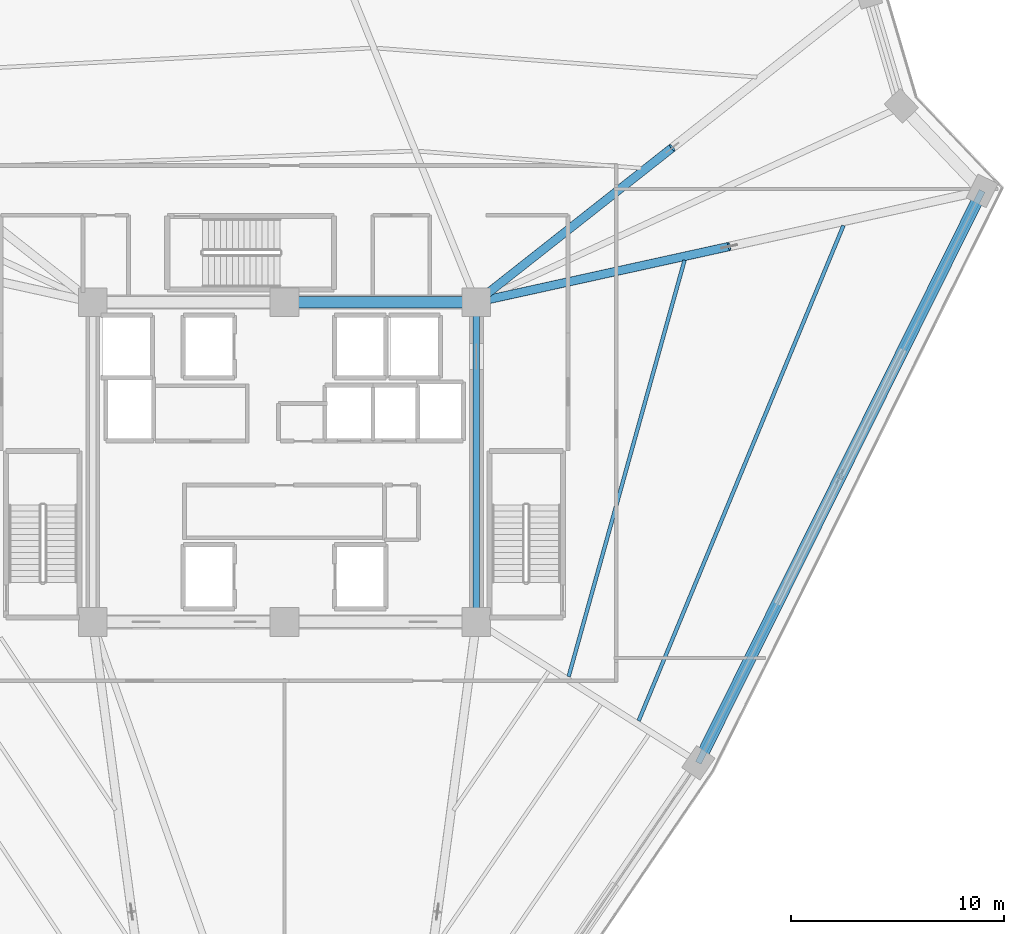
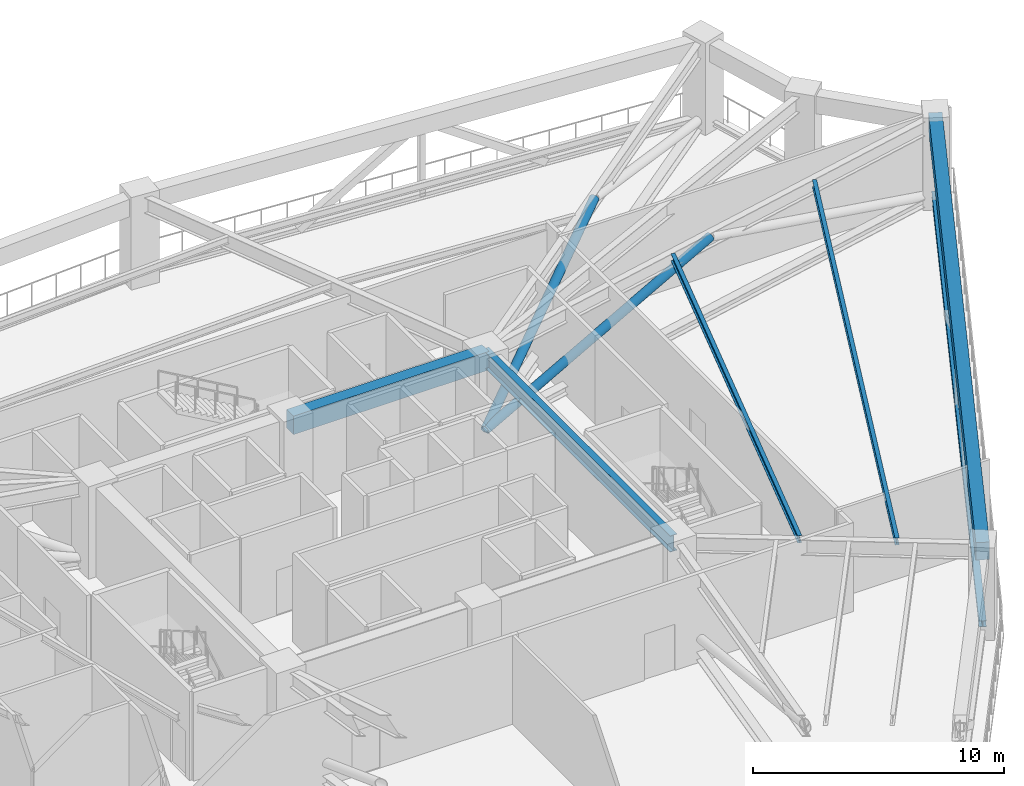
# One storey, part 8 of 25: 5 beams, 3 members.
"""IFC4 building model written with IfcOpenShell, lengths in metres."""

from ifc_helpers import new_model, si_unit, direction, frame, origin, origin_2d, place, context, subcontext, project, spatial, rectangle, hollow_circle, i_section, extrude, source, transform, mapped, material, material_profile, profile_set, type_object, element, save


model = new_model("IFC4")

# Units and contexts
model_context = context("Model", 3, precision=1e-05, world=origin(), true_north=direction((0.0, 1.0)))
body_context = subcontext(model_context, "Body", "Model", "MODEL_VIEW")
ifc_project = project(units=[si_unit("LENGTHUNIT", "METRE"), si_unit("AREAUNIT", "SQUARE_METRE"), si_unit("VOLUMEUNIT", "CUBIC_METRE"), si_unit("PLANEANGLEUNIT", "RADIAN"), si_unit("MASSUNIT", "GRAM", prefix="KILO")], contexts=[model_context])

# Site, building, storey
site_placement = place(None, origin())
site = spatial("IfcSite", under=ifc_project, at=site_placement, CompositionType="ELEMENT")
building_placement = place(site_placement, origin())
building = spatial("IfcBuilding", under=site, at=building_placement, Name="Liaohun Quay Tower", CompositionType="ELEMENT")
storey_placement = place(building_placement, frame((0.0, 0.0, 231.75)))
storey = spatial("IfcBuildingStorey", under=building, at=storey_placement, Name="L60", CompositionType="ELEMENT", Elevation=231.75)

# Beams
ifc_material_1 = material(Name="Steel Q355D", Category="steel")
ifc_material_profile_1 = material_profile(ifc_material_1, i_section(OverallWidth=0.300048828125, OverallDepth=0.800048828125, WebThickness=0.013916015625, FlangeThickness=0.02587890625, at=origin_2d()), Name="HN800x300x14x26")
ifc_profile_set_1 = profile_set([ifc_material_profile_1], Name="Steel Q355D")
beam_type_1 = type_object("IfcBeamType", Name="BM-RAD-M1", PredefinedType="BEAM", material=ifc_profile_set_1)
shared_shape_1 = source(origin(), body_context, "Body", "SweptSolid", [
    extrude(i_section(OverallWidth=0.300048828125, OverallDepth=0.800048828125, WebThickness=0.013916015625, FlangeThickness=0.02587890625, at=origin_2d()), origin(), (0.0, 0.0, 1.0), 15.0),
])
beam_1_placement = place(storey_placement, frame((69.0, 46.5, 3.919921875), z_axis=(0.0, 1.0, 0.0), x_axis=(-1.0, 0.0, 0.0)))
element("IfcBeam", 1, at=beam_1_placement, inside=storey, type_object=beam_type_1, Name="L60 Core Coupling/Ring Beam CC3-CC4", PredefinedType="BEAM", context=body_context, shape_type="MappedRepresentation", body=[
    mapped(shared_shape_1, transform((0.0, 0.0, 0.0), x_axis=(1.0, 0.0, 0.0), y_axis=(0.0, 1.0, 0.0), z_axis=(0.0, 0.0, 1.0), scale=1.0)),
])
ifc_material_2 = material(Name="Concrete C55", Category="concrete")
ifc_material_profile_2 = material_profile(ifc_material_2, rectangle(XDim=0.550048828125, YDim=0.89990234375, at=origin_2d()), Name="RC550x900")
ifc_profile_set_2 = profile_set([ifc_material_profile_2], Name="Concrete C55")
beam_type_2 = type_object("IfcBeamType", Name="BM-CPL-2", PredefinedType="LINTEL", material=ifc_profile_set_2)
shared_shape_2 = source(origin(), body_context, "Body", "SweptSolid", [
    extrude(rectangle(XDim=0.550048828125, YDim=0.89990234375, at=origin_2d()), origin(), (0.0, 0.0, 1.0), 9.0),
])
beam_2_placement = place(storey_placement, frame((69.0, 61.5, 3.8701171875), z_axis=(-1.0, 0.0, 0.0), x_axis=(0.0, -1.0, 0.0)))
element("IfcBeam", 2, at=beam_2_placement, inside=storey, type_object=beam_type_2, Name="L60 Core Coupling/Ring Beam CC4-CC5", PredefinedType="LINTEL", context=body_context, shape_type="MappedRepresentation", body=[
    mapped(shared_shape_2, transform((0.0, 0.0, 0.0), x_axis=(1.0, 0.0, 0.0), y_axis=(0.0, 1.0, 0.0), z_axis=(0.0, 0.0, 1.0), scale=1.0)),
])
ifc_material_3 = material(Name="Precast concrete C50", Category="concrete")
ifc_material_profile_3 = material_profile(ifc_material_3, rectangle(XDim=0.550048828125, YDim=0.85009765625, at=origin_2d()), Name="RC550x850")
ifc_profile_set_3 = profile_set([ifc_material_profile_3], Name="Precast concrete C50")
beam_type_3 = type_object("IfcBeamType", Name="BM-SPD-Z3", PredefinedType="SPANDREL", material=ifc_profile_set_3)
shared_shape_3 = source(origin(), body_context, "Body", "SweptSolid", [
    extrude(rectangle(XDim=0.550048828125, YDim=0.85009765625, at=origin_2d()), origin(), (0.0, 0.0, 1.0), 29.958984375),
])
beam_3_placement = place(storey_placement, frame((92.72900390625, 66.722900390625, 3.89501953125), z_axis=(-0.444473370544, -0.895792064531, 0.0), x_axis=(0.895792064531, -0.444473370544, 0.0)))
element("IfcBeam", 3, at=beam_3_placement, inside=storey, type_object=beam_type_3, Name="L60 Precast Spandrel Beam PC09-PC10", PredefinedType="SPANDREL", context=body_context, shape_type="MappedRepresentation", body=[
    mapped(shared_shape_3, transform((0.0, 0.0, 0.0), x_axis=(1.0, 0.0, 0.0), y_axis=(0.0, 1.0, 0.0), z_axis=(0.0, 0.0, 1.0), scale=1.0)),
])
ifc_material_profile_4 = material_profile(ifc_material_1, i_section(OverallWidth=0.175048828125, OverallDepth=0.35009765625, WebThickness=0.007080078125, FlangeThickness=0.010986328125, at=origin_2d()), Name="HN350x175x7x11")
ifc_profile_set_4 = profile_set([ifc_material_profile_4], Name="Steel Q355D")
beam_type_4 = type_object("IfcBeamType", Name="BM-SEC-J3", PredefinedType="JOIST", material=ifc_profile_set_4)
shared_shape_4 = source(origin(), body_context, "Body", "SweptSolid", [
    extrude(i_section(OverallWidth=0.175048828125, OverallDepth=0.35009765625, WebThickness=0.007080078125, FlangeThickness=0.010986328125, at=origin_2d()), origin(), (0.0, 0.0, 1.0), 20.27978515625),
])
beam_4_placement = place(storey_placement, frame((78.76904296875, 63.471923828125, 4.14501953125), z_axis=(-0.268195801484, -0.963364423293, 0.0), x_axis=(0.963364423293, -0.268195801484, 0.0)))
element("IfcBeam", 4, at=beam_4_placement, inside=storey, type_object=beam_type_4, Name="L60 Wing Secondary Floor Joist SJ-10", PredefinedType="JOIST", context=body_context, shape_type="MappedRepresentation", body=[
    mapped(shared_shape_4, transform((0.0, 0.0, 0.0), x_axis=(1.0, 0.0, 0.0), y_axis=(0.0, 1.0, 0.0), z_axis=(0.0, 0.0, 1.0), scale=1.0)),
])
shared_shape_5 = source(origin(), body_context, "Body", "SweptSolid", [
    extrude(i_section(OverallWidth=0.175048828125, OverallDepth=0.35009765625, WebThickness=0.007080078125, FlangeThickness=0.010986328125, at=origin_2d()), origin(), (0.0, 0.0, 1.0), 25.14599609375),
])
beam_5_placement = place(storey_placement, frame((86.221923828125, 65.093994140625, 4.14501953125), z_axis=(-0.382085939007, -0.924126796069, 0.0), x_axis=(0.924126796069, -0.382085939007, 0.0)))
element("IfcBeam", 5, at=beam_5_placement, inside=storey, type_object=beam_type_4, Name="L60 Wing Secondary Floor Joist SJ-11", PredefinedType="JOIST", context=body_context, shape_type="MappedRepresentation", body=[
    mapped(shared_shape_5, transform((0.0, 0.0, 0.0), x_axis=(1.0, 0.0, 0.0), y_axis=(0.0, 1.0, 0.0), z_axis=(0.0, 0.0, 1.0), scale=1.0)),
])

# Members
ifc_material_4 = material(Name="Steel Q420D", Category="steel")
ifc_material_profile_5 = material_profile(ifc_material_4, hollow_circle(Radius=0.202880859375, WallThickness=0.01611328125, at=origin_2d()), Name="CHS406x16")
ifc_profile_set_5 = profile_set([ifc_material_profile_5], Name="Steel Q420D")
member_type_1 = type_object("IfcMemberType", Name="MEM-OUT-DG2", PredefinedType="BRACE", material=ifc_profile_set_5)
shared_shape_6 = source(origin(), body_context, "Body", "SweptSolid", [
    extrude(hollow_circle(Radius=0.202880859375, WallThickness=0.01611328125, at=origin_2d()), origin(), (0.0, 0.0, 1.0), 12.26513671875),
])
member_1_placement = place(storey_placement, frame((69.0, 61.5, 0.35009765625), z_axis=(0.749354464125, 0.590709320442, 0.299216286052), x_axis=(-0.619071905159, 0.785334308586, 0.0)))
element("IfcMember", 6, at=member_1_placement, inside=storey, type_object=member_type_1, Name="L60 Outrigger Diagonal OD-04A", PredefinedType="BRACE", context=body_context, shape_type="MappedRepresentation", body=[
    mapped(shared_shape_6, transform((0.0, 0.0, 0.0), x_axis=(1.0, 0.0, 0.0), y_axis=(0.0, 1.0, 0.0), z_axis=(0.0, 0.0, 1.0), scale=1.0)),
])
shared_shape_7 = source(origin(), body_context, "Body", "SweptSolid", [
    extrude(hollow_circle(Radius=0.202880859375, WallThickness=0.01611328125, at=origin_2d()), origin(), (0.0, 0.0, 1.0), 12.6904296875),
])
member_2_placement = place(storey_placement, frame((69.0, 61.5, 0.35009765625), z_axis=(0.934881697346, 0.205829803064, 0.289189045674), x_axis=(-0.215017050019, 0.976610294949, 0.0)))
element("IfcMember", 7, at=member_2_placement, inside=storey, type_object=member_type_1, Name="L60 Outrigger Diagonal OD-05A", PredefinedType="BRACE", context=body_context, shape_type="MappedRepresentation", body=[
    mapped(shared_shape_7, transform((0.0, 0.0, 0.0), x_axis=(1.0, 0.0, 0.0), y_axis=(0.0, 1.0, 0.0), z_axis=(0.0, 0.0, 1.0), scale=1.0)),
])
ifc_material_profile_6 = material_profile(ifc_material_1, i_section(OverallWidth=0.300048828125, OverallDepth=0.300048828125, WebThickness=0.010009765625, FlangeThickness=0.014892578125, at=origin_2d()), Name="HW300x300x10x15")
ifc_profile_set_6 = profile_set([ifc_material_profile_6], Name="Steel Q355D")
member_type_2 = type_object("IfcMemberType", Name="MEM-BLT-CHD", PredefinedType="CHORD", material=ifc_profile_set_6)
shared_shape_8 = source(origin(), body_context, "Body", "SweptSolid", [
    extrude(i_section(OverallWidth=0.300048828125, OverallDepth=0.300048828125, WebThickness=0.010009765625, FlangeThickness=0.014892578125, at=origin_2d()), origin(), (0.0, 0.0, 1.0), 29.958984375),
])
member_3_placement = place(storey_placement, frame((92.72900390625, 66.722900390625, 0.35009765625), z_axis=(-0.444473370544, -0.895792064531, 0.0), x_axis=(0.895792064531, -0.444473370544, 0.0)))
element("IfcMember", 8, at=member_3_placement, inside=storey, type_object=member_type_2, Name="L60 Belt Truss Bottom Chord BC-1-05", PredefinedType="CHORD", context=body_context, shape_type="MappedRepresentation", body=[
    mapped(shared_shape_8, transform((0.0, 0.0, 0.0), x_axis=(1.0, 0.0, 0.0), y_axis=(0.0, 1.0, 0.0), z_axis=(0.0, 0.0, 1.0), scale=1.0)),
])

save(model, "model.ifc")
